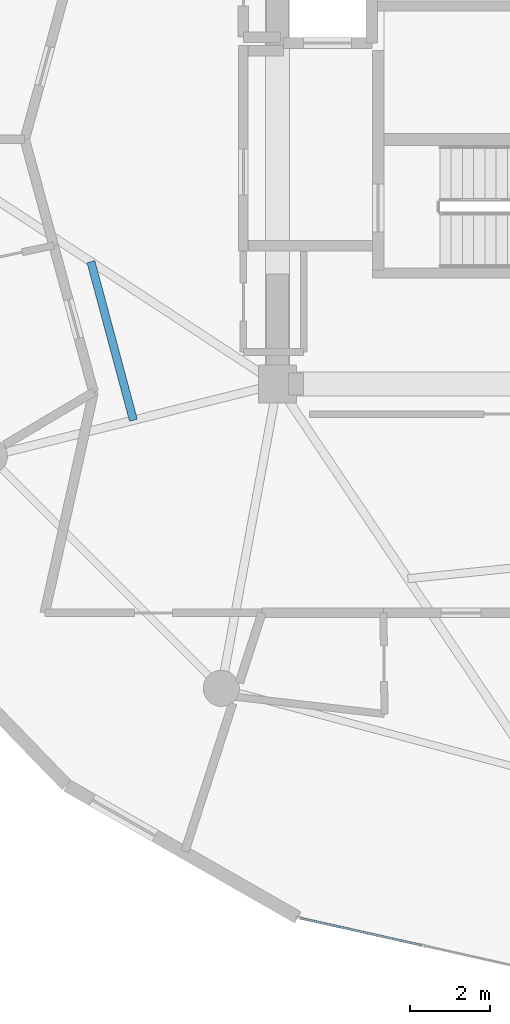
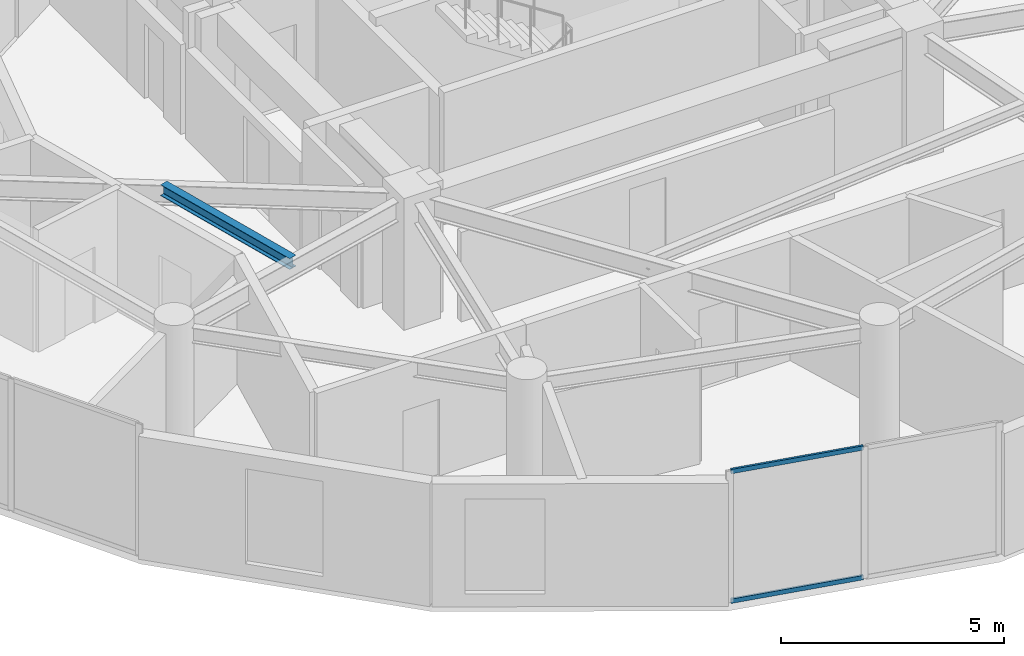
# One storey, part 4 of 23: 2 members, 1 beam, 1 element without a shape of its own.
"""IFC4 building model written with IfcOpenShell, lengths in metres."""

from ifc_helpers import new_model, si_unit, direction, frame, origin, origin_2d, place, context, subcontext, project, spatial, hollow_rectangle, i_section, extrude, source, transform, mapped, material, layer, layer_set, material_profile, profile_set, type_object, element, aggregate, save


model = new_model("IFC4")

# Units and contexts
model_context = context("Model", 3, precision=1e-05, world=origin(), true_north=direction((0.0, 1.0)))
body_context = subcontext(model_context, "Body", "Model", "MODEL_VIEW")
ifc_project = project(units=[si_unit("LENGTHUNIT", "METRE"), si_unit("AREAUNIT", "SQUARE_METRE"), si_unit("VOLUMEUNIT", "CUBIC_METRE"), si_unit("PLANEANGLEUNIT", "RADIAN"), si_unit("MASSUNIT", "GRAM", prefix="KILO")], contexts=[model_context])

# Site, building, storey
site_placement = place(None, origin())
site = spatial("IfcSite", under=ifc_project, at=site_placement, CompositionType="ELEMENT")
building_placement = place(site_placement, origin())
building = spatial("IfcBuilding", under=site, at=building_placement, Name="Solvirekh Grand Hotel", CompositionType="ELEMENT")
storey_placement = place(building_placement, frame((0.0, 0.0, 180.39990234375)))
storey = spatial("IfcBuildingStorey", under=building, at=storey_placement, Name="L46", CompositionType="ELEMENT", Elevation=180.39990234375)

# Beam
ifc_material_1 = material(Name="Steel S355", Category="steel")
ifc_material_profile_1 = material_profile(ifc_material_1, i_section(OverallWidth=0.202880859375, OverallDepth=0.302978515625, WebThickness=0.008056640625, FlangeThickness=0.012939453125, FilletRadius=0.010009765625, at=origin_2d()), Name="W310X60")
ifc_profile_set_1 = profile_set([ifc_material_profile_1], Name="Steel S355")
beam_type = type_object("IfcBeamType", Name="Joist_Floor_W310", PredefinedType="JOIST", material=ifc_profile_set_1)
beam_placement = place(storey_placement, frame((-11.14990234375, -3.050048828125, 3.2080078125), z_axis=(0.25892209236, -0.965898208968, 0.0), x_axis=(0.965898208968, 0.25892209236, 0.0)))
element("IfcBeam", 1, at=beam_placement, inside=storey, type_object=beam_type, Name="L46 secondary composite floor joist 7", PredefinedType="JOIST", context=body_context, shape_type="SweptSolid", body=[
    extrude(i_section(OverallWidth=0.202880859375, OverallDepth=0.302978515625, WebThickness=0.008056640625, FlangeThickness=0.012939453125, FilletRadius=0.010009765625, at=origin_2d()), origin(), (0.0, 0.0, 1.0), 4.08935546875),
])

# Curtain wall, members
ifc_material_2 = material(Name="Anodized Bronze Aluminium 6063-T6", Category="aluminium")
ifc_layer = layer(ifc_material_2, 0.159912109375)
ifc_layer_set = layer_set([ifc_layer], Name="Anodized Bronze Aluminium 6063-T6")
curtain_wall_type = type_object("IfcCurtainWallType", Name="CW_Sys4_HighZoneFlushBronzeCW", PredefinedType="NOTDEFINED", material=ifc_layer_set)
curtain_wall_placement = place(storey_placement, origin())
curtain_wall = element("IfcCurtainWall", 2, at=curtain_wall_placement, inside=storey, type_object=curtain_wall_type, Name="L46 unitised bronze-glass curtain wall CW-L46-C18", PredefinedType="NOTDEFINED")
ifc_material_profile_2 = material_profile(ifc_material_2, hollow_rectangle(XDim=0.054931640625, YDim=0.1201171875, WallThickness=0.00390625, at=origin_2d()), Name="ALU RHS 120X55X4")
ifc_profile_set_2 = profile_set([ifc_material_profile_2], Name="Anodized Bronze Aluminium 6063-T6")
member_type = type_object("IfcMemberType", Name="CWTransom_Sys4", PredefinedType="USERDEFINED", material=ifc_profile_set_2)
shared_shape = source(origin(), body_context, "Body", "SweptSolid", [
    extrude(hollow_rectangle(XDim=0.054931640625, YDim=0.1201171875, WallThickness=0.00390625, at=origin_2d()), origin(), (0.0, 0.0, 1.0), 3.1044921875),
])
member_1_placement = place(storey_placement, frame((-5.931396484375, -19.4111328125, 0.027587890625), z_axis=(0.975845392385, -0.218462285442, 0.0), x_axis=(0.218462285442, 0.975845392385, 0.0)))
member_1 = element("IfcMember", 3, at=member_1_placement, type_object=member_type, Name="U04 transom 1.1", ObjectType="TRANSOM", PredefinedType="USERDEFINED", context=body_context, shape_type="MappedRepresentation", body=[
    mapped(shared_shape, transform((0.0, 0.0, 0.0), x_axis=(1.0, 0.0, 0.0), y_axis=(0.0, 1.0, 0.0), z_axis=(0.0, 0.0, 1.0), scale=1.0)),
])
member_2_placement = place(storey_placement, frame((-5.931396484375, -19.4111328125, 3.572509765625), z_axis=(0.975845392385, -0.218462285442, 0.0), x_axis=(0.218462285442, 0.975845392385, 0.0)))
member_2 = element("IfcMember", 4, at=member_2_placement, type_object=member_type, Name="U04 transom 1.2", ObjectType="TRANSOM", PredefinedType="USERDEFINED", context=body_context, shape_type="MappedRepresentation", body=[
    mapped(shared_shape, transform((0.0, 0.0, 0.0), x_axis=(1.0, 0.0, 0.0), y_axis=(0.0, 1.0, 0.0), z_axis=(0.0, 0.0, 1.0), scale=1.0)),
])
aggregate(curtain_wall, [member_1, member_2])

save(model, "model.ifc")
